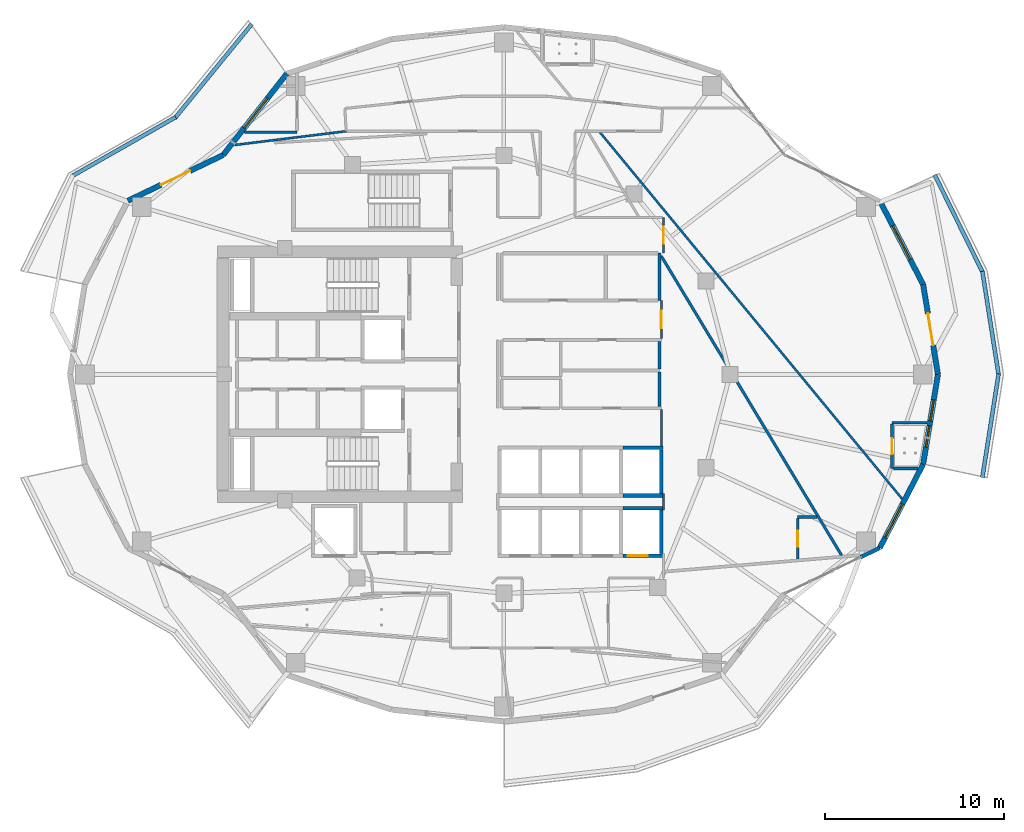
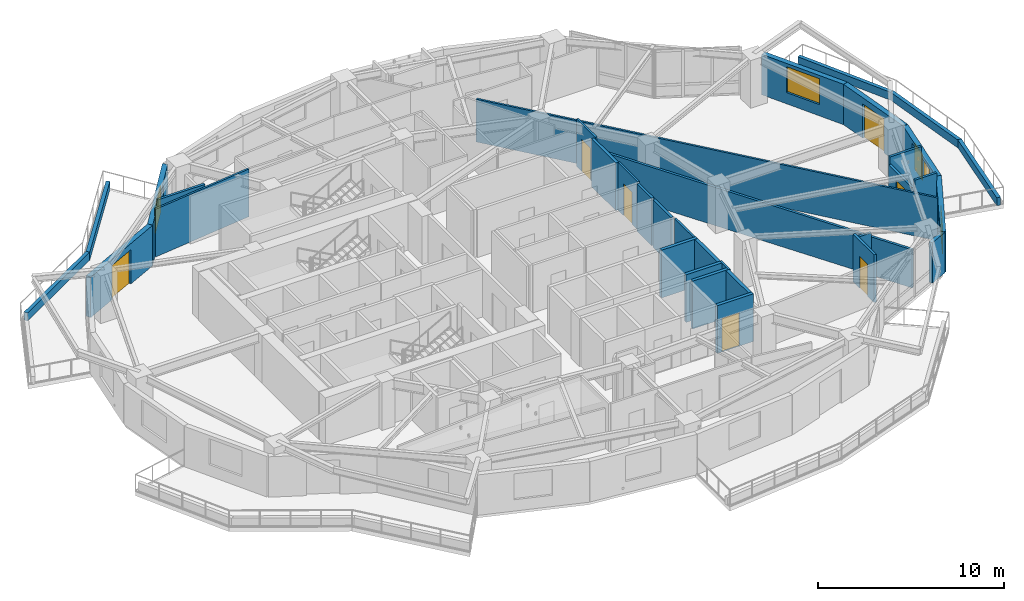
# One storey, part 9 of 18: 34 walls, 7 doors, 5 windows, 12 openings.
"""IFC4 building model written with IfcOpenShell, lengths in metres."""

from ifc_helpers import new_model, si_unit, direction, frame, frame_2d, origin, place, context, subcontext, project, spatial, rectangle, extrude, material, layer, layer_set, type_object, element, fill, save


model = new_model("IFC4")

# Units and contexts
model_context = context("Model", 3, precision=1e-05, world=origin(), true_north=direction((0.0, 1.0)))
body_context = subcontext(model_context, "Body", "Model", "MODEL_VIEW")
ifc_project = project(units=[si_unit("LENGTHUNIT", "METRE"), si_unit("AREAUNIT", "SQUARE_METRE"), si_unit("VOLUMEUNIT", "CUBIC_METRE"), si_unit("PLANEANGLEUNIT", "RADIAN"), si_unit("MASSUNIT", "GRAM", prefix="KILO")], contexts=[model_context])

# Site, building, storey
site_placement = place(None, origin())
site = spatial("IfcSite", under=ifc_project, at=site_placement, CompositionType="ELEMENT")
building_placement = place(site_placement, origin())
building = spatial("IfcBuilding", under=site, at=building_placement, Name="Kolvaren Gate Tower and Convention Centre", CompositionType="ELEMENT")
storey_placement = place(building_placement, frame((0.0, 0.0, 135.89990234375)))
storey = spatial("IfcBuildingStorey", under=building, at=storey_placement, Name="L34", CompositionType="ELEMENT", Elevation=135.89990234375)

# Walls
ifc_material_1 = material(Name="Autoclaved Aerated Masonry Blockwork Class 4 (4.0 MPa)", Category="masonry")
ifc_layer_1 = layer(ifc_material_1, 0.179931640625)
ifc_layer_set_1 = layer_set([ifc_layer_1], Name="Autoclaved Aerated Masonry Blockwork Class 4 (4.0 MPa)")
wall_type_1 = type_object("IfcWallType", Name="ARCH-WL-COMP-180", PredefinedType="SOLIDWALL", material=ifc_layer_set_1)
wall_1_placement = place(storey_placement, frame((38.800048828125, 31.1201171875, 0.0), z_axis=(0.0, 0.0, 1.0), x_axis=(0.0, 1.0, 0.0)))
element("IfcWall", 1, at=wall_1_placement, inside=storey, type_object=wall_type_1, Name="Interior Partition WL-L34-INT-024", PredefinedType="SOLIDWALL", context=body_context, shape_type="SweptSolid", body=[
    extrude(rectangle(XDim=2.6298828125, YDim=0.179931640625, at=frame_2d((1.31494140625, 0.0))), origin(), (0.0, 0.0, 1.0), 3.130126953125),
])
ifc_material_2 = material(Name="Fire-Rated Acoustic Gypsum Stud Partition", Category="gypsum")
ifc_layer_2 = layer(ifc_material_2, 0.1201171875)
ifc_layer_set_2 = layer_set([ifc_layer_2], Name="Fire-Rated Acoustic Gypsum Stud Partition")
wall_type_2 = type_object("IfcWallType", Name="ARCH-WL-PART-120", PredefinedType="PARTITIONING", material=ifc_layer_set_2)
wall_2_placement = place(storey_placement, frame((39.02001953125, 19.43994140625, 0.0), z_axis=(0.0, 0.0, 1.0), x_axis=(0.0, 1.0, 0.0)))
element("IfcWall", 2, at=wall_2_placement, inside=storey, type_object=wall_type_2, Name="Interior Partition WL-L34-INT-028 (2)", PredefinedType="PARTITIONING", context=body_context, shape_type="SweptSolid", body=[
    extrude(rectangle(XDim=0.920166015625, YDim=0.1201171875, at=frame_2d((0.4599609375, 0.0))), origin(), (0.0, 0.0, 1.0), 3.130126953125),
])

# Wall, opening, door
wall_3_placement = place(storey_placement, frame((39.02001953125, 33.75, 0.0), z_axis=(0.0, 0.0, 1.0), x_axis=(0.0, 1.0, 0.0)))
wall_3 = element("IfcWall", 3, at=wall_3_placement, inside=storey, type_object=wall_type_2, Name="Interior Partition WL-L34-INT-029", PredefinedType="PARTITIONING", context=body_context, shape_type="SweptSolid", body=[
    extrude(rectangle(XDim=2.0, YDim=0.1201171875, at=frame_2d((1.0, 0.0))), origin(), (0.0, 0.0, 1.0), 3.130126953125),
])
opening_1_placement = place(wall_3_placement, frame((0.52490234375, 0.0, 0.0)))
opening_1 = element("IfcOpeningElement", 4, at=opening_1_placement, cuts=wall_3, Name="Opening DR-01", PredefinedType="OPENING", context=body_context, shape_type="SweptSolid", body=[
    extrude(rectangle(XDim=0.949951171875, YDim=2.10009765625, at=frame_2d((0.47509765625, 1.050048828125))), frame((0.0, 0.070068359375, 0.0), z_axis=(0.0, -1.0, 0.0), x_axis=(1.0, 0.0, 0.0)), (0.0, 0.0, 1.0), 0.14013671875),
])
ifc_material_3 = material(Name="Painted Architectural Steelwork ASTM A500 Grade C 345 MPa", Category="steel")
door_type_1 = type_object("IfcDoorType", Name="ARCH-DR-RISER-950", OperationType="SINGLE_SWING_RIGHT", PredefinedType="DOOR", material=ifc_material_3)
door_1_placement = place(opening_1_placement, origin())
door_1 = element("IfcDoor", 5, at=door_1_placement, inside=storey, type_object=door_type_1, Name="Hotel Botanical Clubroom Door", OperationType="SINGLE_SWING_LEFT", OverallHeight=2.10009765625, OverallWidth=0.949951171875, PredefinedType="DOOR", context=body_context, shape_type="SweptSolid", body=[
    extrude(rectangle(XDim=0.949951171875, YDim=2.10009765625, at=frame_2d((0.47509765625, 1.050048828125))), frame((0.0, 0.02490234375, 0.0), z_axis=(0.0, -1.0, 0.0), x_axis=(1.0, 0.0, 0.0)), (0.0, 0.0, 1.0), 0.050048828125),
])
fill(opening_1, door_1)

# Wall
wall_4_placement = place(storey_placement, frame((38.89990234375, 23.02001953125, 0.0), z_axis=(0.0, 0.0, 1.0), x_axis=(0.0, 1.0, 0.0)))
element("IfcWall", 6, at=wall_4_placement, inside=storey, type_object=wall_type_2, Name="Interior Partition WL-L34-INT-054", PredefinedType="PARTITIONING", context=body_context, shape_type="SweptSolid", body=[
    extrude(rectangle(XDim=2.02294921875, YDim=0.1201171875, at=frame_2d((1.011474609375, 0.0))), origin(), (0.0, 0.0, 1.0), 3.130126953125),
])

# Wall, opening, door
wall_5_placement = place(storey_placement, frame((38.89990234375, 28.9970703125, 0.0), z_axis=(0.0, 0.0, 1.0), x_axis=(0.0, 1.0, 0.0)))
wall_5 = element("IfcWall", 7, at=wall_5_placement, inside=storey, type_object=wall_type_2, Name="Interior Partition WL-L34-INT-055", PredefinedType="PARTITIONING", context=body_context, shape_type="SweptSolid", body=[
    extrude(rectangle(XDim=2.123046875, YDim=0.1201171875, at=frame_2d((1.0615234375, 0.0))), origin(), (0.0, 0.0, 1.0), 3.130126953125),
])
opening_2_placement = place(wall_5_placement, frame((0.58642578125, 0.0, 0.0)))
opening_2 = element("IfcOpeningElement", 8, at=opening_2_placement, cuts=wall_5, Name="Opening DR-01", PredefinedType="OPENING", context=body_context, shape_type="SweptSolid", body=[
    extrude(rectangle(XDim=0.949951171875, YDim=2.10009765625, at=frame_2d((0.47509765625, 1.050048828125))), frame((0.0, 0.070068359375, 0.0), z_axis=(0.0, -1.0, 0.0), x_axis=(1.0, 0.0, 0.0)), (0.0, 0.0, 1.0), 0.14013671875),
])
door_2_placement = place(opening_2_placement, origin())
door_2 = element("IfcDoor", 9, at=door_2_placement, inside=storey, type_object=door_type_1, Name="Deluxe Hotel Suite (HTL-L34-05) Door", OperationType="SINGLE_SWING_RIGHT", OverallHeight=2.10009765625, OverallWidth=0.949951171875, PredefinedType="DOOR", context=body_context, shape_type="SweptSolid", body=[
    extrude(rectangle(XDim=0.949951171875, YDim=2.10009765625, at=frame_2d((0.47509765625, 1.050048828125))), frame((0.0, 0.02490234375, 0.0), z_axis=(0.0, -1.0, 0.0), x_axis=(1.0, 0.0, 0.0)), (0.0, 0.0, 1.0), 0.050048828125),
])
fill(opening_2, door_2)

# Walls
wall_6_placement = place(storey_placement, frame((35.47900390625, 40.488037109375, 0.0), z_axis=(0.0, 0.0, 1.0), x_axis=(0.636055982797, -0.771642914014, 0.0)))
element("IfcWall", 10, at=wall_6_placement, inside=storey, type_object=wall_type_2, Name="Interior Partition WL-L34-INT-071", PredefinedType="PARTITIONING", context=body_context, shape_type="SweptSolid", body=[
    extrude(rectangle(XDim=26.47265625, YDim=0.1201171875, at=frame_2d((13.236328125, 0.0))), origin(), (0.0, 0.0, 1.0), 2.81201171875),
])
wall_7_placement = place(storey_placement, frame((15.110107421875, 39.779541015625, 0.0), z_axis=(0.0, 0.0, 1.0), x_axis=(0.992465524728, 0.122524210773, 0.0)))
element("IfcWall", 11, at=wall_7_placement, inside=storey, type_object=wall_type_2, Name="Interior Partition WL-L34-INT-082", PredefinedType="PARTITIONING", context=body_context, shape_type="SweptSolid", body=[
    extrude(rectangle(XDim=6.28662109375, YDim=0.1201171875, at=frame_2d((3.143310546875, 0.0))), origin(), (0.0, 0.0, 1.0), 3.130126953125),
])
ifc_material_4 = material(Name="Bogota Sabana Bush-Hammered Sandstone Cladding", Category="masonry")
ifc_layer_3 = layer(ifc_material_4, 0.219970703125)
ifc_layer_set_3 = layer_set([ifc_layer_3], Name="Bogota Sabana Bush-Hammered Sandstone Cladding")
wall_type_3 = type_object("IfcWallType", Name="ARCH-WL-PIER-220", PredefinedType="SOLIDWALL", material=ifc_layer_set_3)
wall_8_placement = place(storey_placement, frame((50.0068359375, 16.813232421875, 0.0), z_axis=(0.0, 0.0, 1.0), x_axis=(0.90138115854, 0.433026566193, 0.0)))
element("IfcWall", 12, at=wall_8_placement, inside=storey, type_object=wall_type_3, Name="Tower L34 Unitised Curtain Wall CW-HTL-UNIT Bay 21 Right Column Pier Wrap", PredefinedType="SOLIDWALL", context=body_context, shape_type="SweptSolid", body=[
    extrude(rectangle(XDim=1.181640625, YDim=0.219970703125, at=frame_2d((0.5908203125, 0.0))), origin(), (0.0, 0.0, 1.0), 2.653076171875),
])
ifc_material_5 = material(Name="Piedmont Cream Honed Limestone Cladding", Category="masonry")
ifc_layer_4 = layer(ifc_material_5, 0.219970703125)
ifc_layer_set_4 = layer_set([ifc_layer_4], Name="Piedmont Cream Honed Limestone Cladding")
wall_type_4 = type_object("IfcWallType", Name="ARCH-WL-PLANTER-220", PredefinedType="PARAPET", material=ifc_layer_set_4)
wall_9_placement = place(storey_placement, frame((11.791015625, 41.274169921875, 0.0), z_axis=(0.0, 0.0, 1.0), x_axis=(0.633024046468, 0.774132131224, 0.0)))
element("IfcWall", 13, at=wall_9_placement, inside=storey, type_object=wall_type_4, Name="Vertical-Forest Balcony Stone Planter Kerb PK-L34-1.1", PredefinedType="PARAPET", context=body_context, shape_type="SweptSolid", body=[
    extrude(rectangle(XDim=6.780517578125, YDim=0.219970703125, at=frame_2d((3.39013671875, 0.0))), origin(), (0.0, 0.0, 1.0), 0.52001953125),
])
wall_10_placement = place(storey_placement, frame((6.095458984375, 38.065673828125, 0.0), z_axis=(0.0, 0.0, 1.0), x_axis=(0.869187658335, 0.494482370361, 0.0)))
element("IfcWall", 14, at=wall_10_placement, inside=storey, type_object=wall_type_4, Name="Vertical-Forest Balcony Stone Planter Kerb PK-L34-1.2", PredefinedType="PARAPET", context=body_context, shape_type="SweptSolid", body=[
    extrude(rectangle(XDim=6.606201171875, YDim=0.219970703125, at=frame_2d((3.30322265625, 0.0))), origin(), (0.0, 0.0, 1.0), 0.52001953125),
])
for number, where, z_axis, x_axis, name in (
    (15, (56.78857421875, 21.254150390625, 0.0), (0.0, 0.0, 1.0), (0.154903030247, 0.987929679289, 0.0), "Vertical-Forest Balcony Stone Planter Kerb PK-L34-4.1"),
    (16, (56.78857421875, 32.745849609375, 0.0), (0.0, 0.0, 1.0), (0.154903030247, -0.987929679289, 0.0), "Vertical-Forest Balcony Stone Planter Kerb PK-L34-4.2"),
):
    element("IfcWall", number, at=place(storey_placement, frame(where, z_axis=z_axis, x_axis=x_axis)), inside=storey, type_object=wall_type_4, Name=name, PredefinedType="PARAPET", context=body_context, shape_type="SweptSolid", body=[
        extrude(rectangle(XDim=5.845703125, YDim=0.219970703125, at=frame_2d((2.9228515625, 0.0))), origin(), (0.0, 0.0, 1.0), 0.52001953125),
    ])
wall_11_placement = place(storey_placement, frame((54.12890625, 38.12158203125, 0.0), z_axis=(0.0, 0.0, 1.0), x_axis=(0.441269631716, -0.897374566235, 0.0)))
element("IfcWall", 17, at=wall_11_placement, inside=storey, type_object=wall_type_4, Name="Vertical-Forest Balcony Stone Planter Kerb PK-L34-4.3", PredefinedType="PARAPET", context=body_context, shape_type="SweptSolid", body=[
    extrude(rectangle(XDim=6.05615234375, YDim=0.219970703125, at=frame_2d((3.028076171875, 0.0))), origin(), (0.0, 0.0, 1.0), 0.52001953125),
])
ifc_layer_5 = layer(ifc_material_1, 0.199951171875)
ifc_layer_set_5 = layer_set([ifc_layer_5], Name="Autoclaved Aerated Masonry Blockwork Class 4 (4.0 MPa)")
wall_type_5 = type_object("IfcWallType", Name="ARCH-WL-SHAFT-200", PredefinedType="SOLIDWALL", material=ifc_layer_set_5)
wall_12_placement = place(storey_placement, frame((36.75, 19.550048828125, 0.0), z_axis=(0.0, 0.0, 1.0), x_axis=(1.0, 0.0, 0.0)))
element("IfcWall", 18, at=wall_12_placement, inside=storey, type_object=wall_type_5, Name="Elevator PL-08 L34 Fire Shaft Wall N", PredefinedType="SOLIDWALL", context=body_context, shape_type="SweptSolid", body=[
    extrude(rectangle(XDim=2.25, YDim=0.199951171875, at=frame_2d((1.125, 0.0))), origin(), (0.0, 0.0, 1.0), 3.130126953125),
])

# Wall, opening, door
wall_13_placement = place(storey_placement, frame((36.75, 16.89990234375, 0.0), z_axis=(0.0, 0.0, 1.0), x_axis=(1.0, 0.0, 0.0)))
wall_13 = element("IfcWall", 19, at=wall_13_placement, inside=storey, type_object=wall_type_5, Name="Elevator PL-08 L34 Fire Shaft Wall S", PredefinedType="SOLIDWALL", context=body_context, shape_type="SweptSolid", body=[
    extrude(rectangle(XDim=2.25, YDim=0.199951171875, at=frame_2d((1.125, 0.0))), origin(), (0.0, 0.0, 1.0), 3.130126953125),
])
opening_3_placement = place(wall_13_placement, frame((0.280029296875, 0.0, 0.0)))
opening_3 = element("IfcOpeningElement", 20, at=opening_3_placement, cuts=wall_13, Name="Opening LD", PredefinedType="OPENING", context=body_context, shape_type="SweptSolid", body=[
    extrude(rectangle(XDim=1.10009765625, YDim=2.199951171875, at=frame_2d((0.550048828125, 1.10009765625))), frame((0.0, 0.10986328125, 0.0), z_axis=(0.0, -1.0, 0.0), x_axis=(1.0, 0.0, 0.0)), (0.0, 0.0, 1.0), 0.219970703125),
])
ifc_material_6 = material(Name="Brushed Stainless Steel Grade 316L", Category="steel")
door_type_2 = type_object("IfcDoorType", Name="ARCH-DR-LIFT-1100", OperationType="SLIDING_TO_LEFT", PredefinedType="DOOR", material=ifc_material_6)
door_3_placement = place(opening_3_placement, origin())
door_3 = element("IfcDoor", 21, at=door_3_placement, inside=storey, type_object=door_type_2, Name="Elevator PL-08 L34 Sliding Landing Door", OperationType="SLIDING_TO_LEFT", OverallHeight=2.199951171875, OverallWidth=1.10009765625, PredefinedType="DOOR", context=body_context, shape_type="SweptSolid", body=[
    extrude(rectangle(XDim=1.10009765625, YDim=2.199951171875, at=frame_2d((0.550048828125, 1.10009765625))), frame((0.0, 0.02490234375, 0.0), z_axis=(0.0, -1.0, 0.0), x_axis=(1.0, 0.0, 0.0)), (0.0, 0.0, 1.0), 0.050048828125),
])
fill(opening_3, door_3)

# Walls
wall_14_placement = place(storey_placement, frame((38.89990234375, 17.010009765625, 0.0), z_axis=(0.0, 0.0, 1.0), x_axis=(0.0, 1.0, 0.0)))
element("IfcWall", 22, at=wall_14_placement, inside=storey, type_object=wall_type_5, Name="Elevator PL-08 L34 Fire Shaft Wall E", PredefinedType="SOLIDWALL", context=body_context, shape_type="SweptSolid", body=[
    extrude(rectangle(XDim=2.429931640625, YDim=0.199951171875, at=frame_2d((1.21484375, 0.0))), origin(), (0.0, 0.0, 1.0), 3.130126953125),
])
for number, where, z_axis, x_axis, name in (
    (23, (36.75, 22.89990234375, 0.0), (0.0, 0.0, 1.0), (1.0, 0.0, 0.0), "Elevator PL-12 L34 Fire Shaft Wall N"),
    (24, (36.75, 20.25, 0.0), (0.0, 0.0, 1.0), (1.0, 0.0, 0.0), "Elevator PL-12 L34 Fire Shaft Wall S"),
):
    element("IfcWall", number, at=place(storey_placement, frame(where, z_axis=z_axis, x_axis=x_axis)), inside=storey, type_object=wall_type_5, Name=name, PredefinedType="SOLIDWALL", context=body_context, shape_type="SweptSolid", body=[
        extrude(rectangle(XDim=2.25, YDim=0.199951171875, at=frame_2d((1.125, 0.0))), origin(), (0.0, 0.0, 1.0), 3.130126953125),
    ])
wall_15_placement = place(storey_placement, frame((38.89990234375, 20.360107421875, 0.0), z_axis=(0.0, 0.0, 1.0), x_axis=(0.0, 1.0, 0.0)))
element("IfcWall", 25, at=wall_15_placement, inside=storey, type_object=wall_type_5, Name="Elevator PL-12 L34 Fire Shaft Wall E", PredefinedType="SOLIDWALL", context=body_context, shape_type="SweptSolid", body=[
    extrude(rectangle(XDim=2.429931640625, YDim=0.199951171875, at=frame_2d((1.21484375, 0.0))), origin(), (0.0, 0.0, 1.0), 3.130126953125),
])

# Wall, opening, door
ifc_layer_6 = layer(ifc_material_5, 0.300048828125)
ifc_layer_set_6 = layer_set([ifc_layer_6], Name="Piedmont Cream Honed Limestone Cladding")
wall_type_6 = type_object("IfcWallType", Name="ARCH-WL-STONE-300", PredefinedType="SOLIDWALL", material=ifc_layer_set_6)
wall_16_placement = place(storey_placement, frame((53.48828125, 32.008056640625, 0.0), z_axis=(0.0, 0.0, 1.0), x_axis=(0.162393944769, -0.986726003864, 0.0)))
wall_16 = element("IfcWall", 26, at=wall_16_placement, inside=storey, type_object=wall_type_6, Name="Tower L34 Honed Stone Spandrel Wall EW-00", PredefinedType="SOLIDWALL", context=body_context, shape_type="SweptSolid", body=[
    extrude(rectangle(XDim=5.075439453125, YDim=0.300048828125, at=frame_2d((2.53759765625, 0.0))), origin(), (0.0, 0.0, 1.0), 2.653076171875),
])
opening_4_placement = place(wall_16_placement, frame((1.637939453125, 0.0, 0.0)))
opening_4 = element("IfcOpeningElement", 27, at=opening_4_placement, cuts=wall_16, Name="Opening DB-01", PredefinedType="OPENING", context=body_context, shape_type="SweptSolid", body=[
    extrude(rectangle(XDim=1.800048828125, YDim=2.25, at=frame_2d((0.89990234375, 1.125))), frame((0.0, 0.159912109375, 0.0), z_axis=(0.0, -1.0, 0.0), x_axis=(1.0, 0.0, 0.0)), (0.0, 0.0, 1.0), 0.320068359375),
])
ifc_material_7 = material(Name="Anodized Architectural Aluminium Alloy 6063-T6", Category="aluminium")
door_type_3 = type_object("IfcDoorType", Name="ARCH-DR-BALC-1800", OperationType="SLIDING_TO_LEFT", PredefinedType="DOOR", material=ifc_material_7)
door_4_placement = place(opening_4_placement, origin())
door_4 = element("IfcDoor", 28, at=door_4_placement, inside=storey, type_object=door_type_3, Name="Planted Sky Terrace Access Door DB-L34-00", OperationType="SLIDING_TO_LEFT", OverallHeight=2.25, OverallWidth=1.800048828125, PredefinedType="DOOR", context=body_context, shape_type="SweptSolid", body=[
    extrude(rectangle(XDim=1.800048828125, YDim=2.25, at=frame_2d((0.89990234375, 1.125))), frame((0.0, 0.02490234375, 0.0), z_axis=(0.0, -1.0, 0.0), x_axis=(1.0, 0.0, 0.0)), (0.0, 0.0, 1.0), 0.050048828125),
])
fill(opening_4, door_4)

# Wall, opening, window
wall_17_placement = place(storey_placement, frame((51.072021484375, 36.675048828125, 0.0), z_axis=(0.0, 0.0, 1.0), x_axis=(0.459767899643, -0.888039119892, 0.0)))
wall_17 = element("IfcWall", 29, at=wall_17_placement, inside=storey, type_object=wall_type_6, Name="Tower L34 Honed Stone Spandrel Wall EW-01", PredefinedType="SOLIDWALL", context=body_context, shape_type="SweptSolid", body=[
    extrude(rectangle(XDim=5.25537109375, YDim=0.300048828125, at=frame_2d((2.627685546875, 0.0))), origin(), (0.0, 0.0, 1.0), 2.653076171875),
])
opening_5_placement = place(wall_17_placement, frame((1.577880859375, 0.0, 0.739990234375)))
opening_5 = element("IfcOpeningElement", 30, at=opening_5_placement, cuts=wall_17, Name="Opening W-02", PredefinedType="OPENING", context=body_context, shape_type="SweptSolid", body=[
    extrude(rectangle(XDim=2.10009765625, YDim=1.699951171875, at=frame_2d((1.050048828125, 0.85009765625))), frame((0.0, 0.159912109375, 0.0), z_axis=(0.0, -1.0, 0.0), x_axis=(1.0, 0.0, 0.0)), (0.0, 0.0, 1.0), 0.320068359375),
])
ifc_material_8 = material(Name="Low-E Triple Insulated Glazing Unit 44 mm", Category="glass")
window_type_1 = type_object("IfcWindowType", Name="ARCH-WN-HTL-2100", PartitioningType="SINGLE_PANEL", PredefinedType="WINDOW", material=ifc_material_8)
window_1_placement = place(opening_5_placement, origin())
window_1 = element("IfcWindow", 31, at=window_1_placement, inside=storey, type_object=window_type_1, Name="Tower L34 Punched Stone Facade Window W-01", OverallHeight=1.699951171875, OverallWidth=2.10009765625, PartitioningType="SINGLE_PANEL", PredefinedType="WINDOW", context=body_context, shape_type="SweptSolid", body=[
    extrude(rectangle(XDim=2.10009765625, YDim=1.699951171875, at=frame_2d((1.050048828125, 0.85009765625))), frame((0.0, 0.030029296875, 0.0), z_axis=(0.0, -1.0, 0.0), x_axis=(1.0, 0.0, 0.0)), (0.0, 0.0, 1.0), 0.06005859375),
])
fill(opening_5, window_1)

wall_18_placement = place(storey_placement, frame((14.481201171875, 39.222900390625, 0.0), z_axis=(0.0, 0.0, 1.0), x_axis=(0.616435134162, 0.787405693001, 0.0)))
wall_18 = element("IfcWall", 32, at=wall_18_placement, inside=storey, type_object=wall_type_6, Name="Tower L34 Honed Stone Spandrel Wall EW-08", PredefinedType="SOLIDWALL", context=body_context, shape_type="SweptSolid", body=[
    extrude(rectangle(XDim=5.759033203125, YDim=0.300048828125, at=frame_2d((2.87939453125, 0.0))), origin(), (0.0, 0.0, 1.0), 2.653076171875),
])
opening_6_placement = place(wall_18_placement, frame((1.919921875, 0.0, 0.739990234375)))
opening_6 = element("IfcOpeningElement", 33, at=opening_6_placement, cuts=wall_18, Name="Opening W-02", PredefinedType="OPENING", context=body_context, shape_type="SweptSolid", body=[
    extrude(rectangle(XDim=2.10009765625, YDim=1.699951171875, at=frame_2d((1.050048828125, 0.85009765625))), frame((0.0, 0.159912109375, 0.0), z_axis=(0.0, -1.0, 0.0), x_axis=(1.0, 0.0, 0.0)), (0.0, 0.0, 1.0), 0.320068359375),
])
window_2_placement = place(opening_6_placement, origin())
window_2 = element("IfcWindow", 34, at=window_2_placement, inside=storey, type_object=window_type_1, Name="Tower L34 Punched Stone Facade Window W-08", OverallHeight=1.699951171875, OverallWidth=2.10009765625, PartitioningType="SINGLE_PANEL", PredefinedType="WINDOW", context=body_context, shape_type="SweptSolid", body=[
    extrude(rectangle(XDim=2.10009765625, YDim=1.699951171875, at=frame_2d((1.050048828125, 0.85009765625))), frame((0.0, 0.030029296875, 0.0), z_axis=(0.0, -1.0, 0.0), x_axis=(1.0, 0.0, 0.0)), (0.0, 0.0, 1.0), 0.06005859375),
])
fill(opening_6, window_2)

# Wall, opening, door
wall_19_placement = place(storey_placement, frame((9.177978515625, 36.675048828125, 0.0), z_axis=(0.0, 0.0, 1.0), x_axis=(0.901370184739, 0.433049408339, 0.0)))
wall_19 = element("IfcWall", 35, at=wall_19_placement, inside=storey, type_object=wall_type_6, Name="Tower L34 Honed Stone Spandrel Wall EW-09", PredefinedType="SOLIDWALL", context=body_context, shape_type="SweptSolid", body=[
    extrude(rectangle(XDim=5.883544921875, YDim=0.300048828125, at=frame_2d((2.94189453125, 0.0))), origin(), (0.0, 0.0, 1.0), 2.653076171875),
])
opening_7_placement = place(wall_19_placement, frame((2.0419921875, 0.0, 0.0)))
opening_7 = element("IfcOpeningElement", 36, at=opening_7_placement, cuts=wall_19, Name="Opening DB-01", PredefinedType="OPENING", context=body_context, shape_type="SweptSolid", body=[
    extrude(rectangle(XDim=1.800048828125, YDim=2.25, at=frame_2d((0.89990234375, 1.125))), frame((0.0, 0.159912109375, 0.0), z_axis=(0.0, -1.0, 0.0), x_axis=(1.0, 0.0, 0.0)), (0.0, 0.0, 1.0), 0.320068359375),
])
door_5_placement = place(opening_7_placement, origin())
door_5 = element("IfcDoor", 37, at=door_5_placement, inside=storey, type_object=door_type_3, Name="Planted Sky Terrace Access Door DB-L34-09", OperationType="SLIDING_TO_LEFT", OverallHeight=2.25, OverallWidth=1.800048828125, PredefinedType="DOOR", context=body_context, shape_type="SweptSolid", body=[
    extrude(rectangle(XDim=1.800048828125, YDim=2.25, at=frame_2d((0.89990234375, 1.125))), frame((0.0, 0.02490234375, 0.0), z_axis=(0.0, -1.0, 0.0), x_axis=(1.0, 0.0, 0.0)), (0.0, 0.0, 1.0), 0.050048828125),
])
fill(opening_7, door_5)

# Wall, opening, window
wall_20_placement = place(storey_placement, frame((51.072021484375, 17.324951171875, 0.0), z_axis=(0.0, 0.0, 1.0), x_axis=(0.459767899643, 0.888039119892, 0.0)))
wall_20 = element("IfcWall", 38, at=wall_20_placement, inside=storey, type_object=wall_type_6, Name="Tower L34 Honed Stone Spandrel Wall EW-22", PredefinedType="SOLIDWALL", context=body_context, shape_type="SweptSolid", body=[
    extrude(rectangle(XDim=5.25537109375, YDim=0.300048828125, at=frame_2d((2.627685546875, 0.0))), origin(), (0.0, 0.0, 1.0), 2.653076171875),
])
opening_8_placement = place(wall_20_placement, frame((0.64990234375, 0.0, 0.739990234375)))
opening_8 = element("IfcOpeningElement", 39, at=opening_8_placement, cuts=wall_20, Name="Opening W-02", PredefinedType="OPENING", context=body_context, shape_type="SweptSolid", body=[
    extrude(rectangle(XDim=2.10009765625, YDim=1.699951171875, at=frame_2d((1.050048828125, 0.85009765625))), frame((0.0, 0.159912109375, 0.0), z_axis=(0.0, -1.0, 0.0), x_axis=(1.0, 0.0, 0.0)), (0.0, 0.0, 1.0), 0.320068359375),
])
window_3_placement = place(opening_8_placement, origin())
window_3 = element("IfcWindow", 40, at=window_3_placement, inside=storey, type_object=window_type_1, Name="Tower L34 Punched Stone Facade Window W-22", OverallHeight=1.699951171875, OverallWidth=2.10009765625, PartitioningType="SINGLE_PANEL", PredefinedType="WINDOW", context=body_context, shape_type="SweptSolid", body=[
    extrude(rectangle(XDim=2.10009765625, YDim=1.699951171875, at=frame_2d((1.050048828125, 0.85009765625))), frame((0.0, 0.030029296875, 0.0), z_axis=(0.0, -1.0, 0.0), x_axis=(1.0, 0.0, 0.0)), (0.0, 0.0, 1.0), 0.06005859375),
])
fill(opening_8, window_3)

# Wall, openings, windows
wall_21_placement = place(storey_placement, frame((53.48828125, 21.991943359375, 0.0), z_axis=(0.0, 0.0, 1.0), x_axis=(0.162393944769, 0.986726003864, 0.0)))
wall_21 = element("IfcWall", 41, at=wall_21_placement, inside=storey, type_object=wall_type_6, Name="Tower L34 Honed Stone Spandrel Wall EW-23", PredefinedType="SOLIDWALL", context=body_context, shape_type="SweptSolid", body=[
    extrude(rectangle(XDim=5.075439453125, YDim=0.300048828125, at=frame_2d((2.53759765625, 0.0))), origin(), (0.0, 0.0, 1.0), 2.653076171875),
])
opening_9_placement = place(wall_21_placement, frame((0.973876953125, 0.0, 0.739990234375)))
opening_9 = element("IfcOpeningElement", 42, at=opening_9_placement, cuts=wall_21, Name="Opening W-04", PredefinedType="OPENING", context=body_context, shape_type="SweptSolid", body=[
    extrude(rectangle(XDim=1.199951171875, YDim=1.699951171875, at=frame_2d((0.60009765625, 0.85009765625))), frame((0.0, 0.159912109375, 0.0), z_axis=(0.0, -1.0, 0.0), x_axis=(1.0, 0.0, 0.0)), (0.0, 0.0, 1.0), 0.320068359375),
])
opening_10_placement = place(wall_21_placement, frame((2.444091796875, 0.0, 0.739990234375)))
opening_10 = element("IfcOpeningElement", 43, at=opening_10_placement, cuts=wall_21, Name="Opening W-04", PredefinedType="OPENING", context=body_context, shape_type="SweptSolid", body=[
    extrude(rectangle(XDim=1.199951171875, YDim=1.699951171875, at=frame_2d((0.60009765625, 0.85009765625))), frame((0.0, 0.159912109375, 0.0), z_axis=(0.0, -1.0, 0.0), x_axis=(1.0, 0.0, 0.0)), (0.0, 0.0, 1.0), 0.320068359375),
])
window_type_2 = type_object("IfcWindowType", Name="ARCH-WN-NARROW-1200", PartitioningType="SINGLE_PANEL", PredefinedType="WINDOW", material=ifc_material_8)
window_4_placement = place(opening_9_placement, origin())
window_4 = element("IfcWindow", 44, at=window_4_placement, inside=storey, type_object=window_type_2, Name="Tower L34 Punched Stone Facade Window W-23", OverallHeight=1.699951171875, OverallWidth=1.199951171875, PartitioningType="SINGLE_PANEL", PredefinedType="WINDOW", context=body_context, shape_type="SweptSolid", body=[
    extrude(rectangle(XDim=1.199951171875, YDim=1.699951171875, at=frame_2d((0.60009765625, 0.85009765625))), frame((0.0, 0.030029296875, 0.0), z_axis=(0.0, -1.0, 0.0), x_axis=(1.0, 0.0, 0.0)), (0.0, 0.0, 1.0), 0.06005859375),
])
fill(opening_9, window_4)
window_5_placement = place(opening_10_placement, origin())
window_5 = element("IfcWindow", 45, at=window_5_placement, inside=storey, type_object=window_type_2, Name="Tower L34 Punched Stone Facade Window W-23B", OverallHeight=1.699951171875, OverallWidth=1.199951171875, PartitioningType="SINGLE_PANEL", PredefinedType="WINDOW", context=body_context, shape_type="SweptSolid", body=[
    extrude(rectangle(XDim=1.199951171875, YDim=1.699951171875, at=frame_2d((0.60009765625, 0.85009765625))), frame((0.0, 0.030029296875, 0.0), z_axis=(0.0, -1.0, 0.0), x_axis=(1.0, 0.0, 0.0)), (0.0, 0.0, 1.0), 0.06005859375),
])
fill(opening_10, window_5)

# Walls
ifc_material_9 = material(Name="Moisture-Resistant Cement-Board Acoustic Partition", Category="gypsum")
ifc_layer_7 = layer(ifc_material_9, 0.14990234375)
ifc_layer_set_7 = layer_set([ifc_layer_7], Name="Moisture-Resistant Cement-Board Acoustic Partition")
wall_type_7 = type_object("IfcWallType", Name="ARCH-WL-WET-150", PredefinedType="PARTITIONING", material=ifc_layer_set_7)
wall_22_placement = place(storey_placement, frame((38.800048828125, 25.197021484375, 0.0), z_axis=(0.0, 0.0, 1.0), x_axis=(0.0, 1.0, 0.0)))
element("IfcWall", 46, at=wall_22_placement, inside=storey, type_object=wall_type_7, Name="Interior Partition WL-L34-INT-023", PredefinedType="PARTITIONING", context=body_context, shape_type="SweptSolid", body=[
    extrude(rectangle(XDim=1.946044921875, YDim=0.14990234375, at=frame_2d((0.97314453125, 0.0))), origin(), (0.0, 0.0, 1.0), 3.130126953125),
])
wall_23_placement = place(storey_placement, frame((38.800048828125, 27.297119140625, 0.0), z_axis=(0.0, 0.0, 1.0), x_axis=(0.0, 1.0, 0.0)))
element("IfcWall", 47, at=wall_23_placement, inside=storey, type_object=wall_type_7, Name="Interior Partition WL-L34-INT-023 (2)", PredefinedType="PARTITIONING", context=body_context, shape_type="SweptSolid", body=[
    extrude(rectangle(XDim=1.5458984375, YDim=0.14990234375, at=frame_2d((0.77294921875, 0.0))), origin(), (0.0, 0.0, 1.0), 3.130126953125),
])
wall_24_placement = place(storey_placement, frame((38.89208984375, 33.597412109375, 0.0), z_axis=(0.0, 0.0, 1.0), x_axis=(0.516074687683, -0.856543587176, 0.0)))
element("IfcWall", 48, at=wall_24_placement, inside=storey, type_object=wall_type_7, Name="Interior Partition WL-L34-INT-066", PredefinedType="PARTITIONING", context=body_context, shape_type="SweptSolid", body=[
    extrude(rectangle(XDim=19.476318359375, YDim=0.14990234375, at=frame_2d((9.73828125, 0.0))), origin(), (0.0, 0.0, 1.0), 2.505126953125),
])
wall_25_placement = place(storey_placement, frame((46.5, 19.050048828125, 0.0), z_axis=(0.0, 0.0, 1.0), x_axis=(1.0, 0.0, 0.0)))
element("IfcWall", 49, at=wall_25_placement, inside=storey, type_object=wall_type_7, Name="Interior Partition WL-L34-INT-067", PredefinedType="PARTITIONING", context=body_context, shape_type="SweptSolid", body=[
    extrude(rectangle(XDim=1.067138671875, YDim=0.14990234375, at=frame_2d((0.53369140625, 0.0))), origin(), (0.0, 0.0, 1.0), 2.81201171875),
])

# Wall, opening, door
wall_26_placement = place(storey_placement, frame((46.5, 16.708984375, 0.0), z_axis=(0.0, 0.0, 1.0), x_axis=(0.0, 1.0, 0.0)))
wall_26 = element("IfcWall", 50, at=wall_26_placement, inside=storey, type_object=wall_type_7, Name="Interior Partition WL-L34-INT-068", PredefinedType="PARTITIONING", context=body_context, shape_type="SweptSolid", body=[
    extrude(rectangle(XDim=2.263916015625, YDim=0.14990234375, at=frame_2d((1.1318359375, 0.0))), origin(), (0.0, 0.0, 1.0), 3.130126953125),
])
opening_11_placement = place(wall_26_placement, frame((0.681884765625, 0.0, 0.0)))
opening_11 = element("IfcOpeningElement", 51, at=opening_11_placement, cuts=wall_26, Name="Opening DW-01", PredefinedType="OPENING", context=body_context, shape_type="SweptSolid", body=[
    extrude(rectangle(XDim=0.89990234375, YDim=2.10009765625, at=frame_2d((0.449951171875, 1.050048828125))), frame((0.0, 0.0849609375, 0.0), z_axis=(0.0, -1.0, 0.0), x_axis=(1.0, 0.0, 0.0)), (0.0, 0.0, 1.0), 0.169921875),
])
ifc_material_10 = material(Name="FSC Andean Oak Engineered Veneer Door Leaf", Category="wood")
door_type_4 = type_object("IfcDoorType", Name="ARCH-DR-WC-900", OperationType="SINGLE_SWING_RIGHT", PredefinedType="DOOR", material=ifc_material_10)
door_6_placement = place(opening_11_placement, origin())
door_6 = element("IfcDoor", 52, at=door_6_placement, inside=storey, type_object=door_type_4, Name="En-suite Bathroom (HTL-L34-05) Door", OperationType="SINGLE_SWING_RIGHT", OverallHeight=2.10009765625, OverallWidth=0.89990234375, PredefinedType="DOOR", context=body_context, shape_type="SweptSolid", body=[
    extrude(rectangle(XDim=0.89990234375, YDim=2.10009765625, at=frame_2d((0.449951171875, 1.050048828125))), frame((0.0, 0.02490234375, 0.0), z_axis=(0.0, -1.0, 0.0), x_axis=(1.0, 0.0, 0.0)), (0.0, 0.0, 1.0), 0.050048828125),
])
fill(opening_11, door_6)

# Wall
wall_27_placement = place(storey_placement, frame((51.75, 24.300048828125, 0.0), z_axis=(0.0, 0.0, 1.0), x_axis=(1.0, 0.0, 0.0)))
element("IfcWall", 53, at=wall_27_placement, inside=storey, type_object=wall_type_7, Name="Interior Partition WL-L34-INT-073", PredefinedType="PARTITIONING", context=body_context, shape_type="SweptSolid", body=[
    extrude(rectangle(XDim=1.964111328125, YDim=0.14990234375, at=frame_2d((0.98193359375, 0.0))), origin(), (0.0, 0.0, 1.0), 3.130126953125),
])

# Wall, opening, door
wall_28_placement = place(storey_placement, frame((51.75, 21.75, 0.0), z_axis=(0.0, 0.0, 1.0), x_axis=(0.0, 1.0, 0.0)))
wall_28 = element("IfcWall", 54, at=wall_28_placement, inside=storey, type_object=wall_type_7, Name="Interior Partition WL-L34-INT-074", PredefinedType="PARTITIONING", context=body_context, shape_type="SweptSolid", body=[
    extrude(rectangle(XDim=2.472900390625, YDim=0.14990234375, at=frame_2d((1.236328125, 0.0))), origin(), (0.0, 0.0, 1.0), 2.653076171875),
])
opening_12_placement = place(wall_28_placement, frame((0.78662109375, 0.0, 0.0)))
opening_12 = element("IfcOpeningElement", 55, at=opening_12_placement, cuts=wall_28, Name="Opening DW-01", PredefinedType="OPENING", context=body_context, shape_type="SweptSolid", body=[
    extrude(rectangle(XDim=0.89990234375, YDim=2.10009765625, at=frame_2d((0.449951171875, 1.050048828125))), frame((0.0, 0.0849609375, 0.0), z_axis=(0.0, -1.0, 0.0), x_axis=(1.0, 0.0, 0.0)), (0.0, 0.0, 1.0), 0.169921875),
])
door_7_placement = place(opening_12_placement, origin())
door_7 = element("IfcDoor", 56, at=door_7_placement, inside=storey, type_object=door_type_4, Name="En-suite Bathroom (HTL-L34-07) Door", OperationType="SINGLE_SWING_LEFT", OverallHeight=2.10009765625, OverallWidth=0.89990234375, PredefinedType="DOOR", context=body_context, shape_type="SweptSolid", body=[
    extrude(rectangle(XDim=0.89990234375, YDim=2.10009765625, at=frame_2d((0.449951171875, 1.050048828125))), frame((0.0, 0.02490234375, 0.0), z_axis=(0.0, -1.0, 0.0), x_axis=(1.0, 0.0, 0.0)), (0.0, 0.0, 1.0), 0.050048828125),
])
fill(opening_12, door_7)

# Walls
wall_29_placement = place(storey_placement, frame((51.826904296875, 21.75, 0.0), z_axis=(0.0, 0.0, 1.0), x_axis=(1.0, 0.0, 0.0)))
element("IfcWall", 57, at=wall_29_placement, inside=storey, type_object=wall_type_7, Name="Interior Partition WL-L34-INT-075", PredefinedType="PARTITIONING", context=body_context, shape_type="SweptSolid", body=[
    extrude(rectangle(XDim=1.364990234375, YDim=0.14990234375, at=frame_2d((0.6826171875, 0.0))), origin(), (0.0, 0.0, 1.0), 3.130126953125),
])
wall_30_placement = place(storey_placement, frame((15.674072265625, 40.5, 0.0), z_axis=(0.0, 0.0, 1.0), x_axis=(1.0, 0.0, 0.0)))
element("IfcWall", 58, at=wall_30_placement, inside=storey, type_object=wall_type_7, Name="Interior Partition WL-L34-INT-079", PredefinedType="PARTITIONING", context=body_context, shape_type="SweptSolid", body=[
    extrude(rectangle(XDim=2.926025390625, YDim=0.14990234375, at=frame_2d((1.462890625, 0.0))), origin(), (0.0, 0.0, 1.0), 3.130126953125),
])

save(model, "model.ifc")
